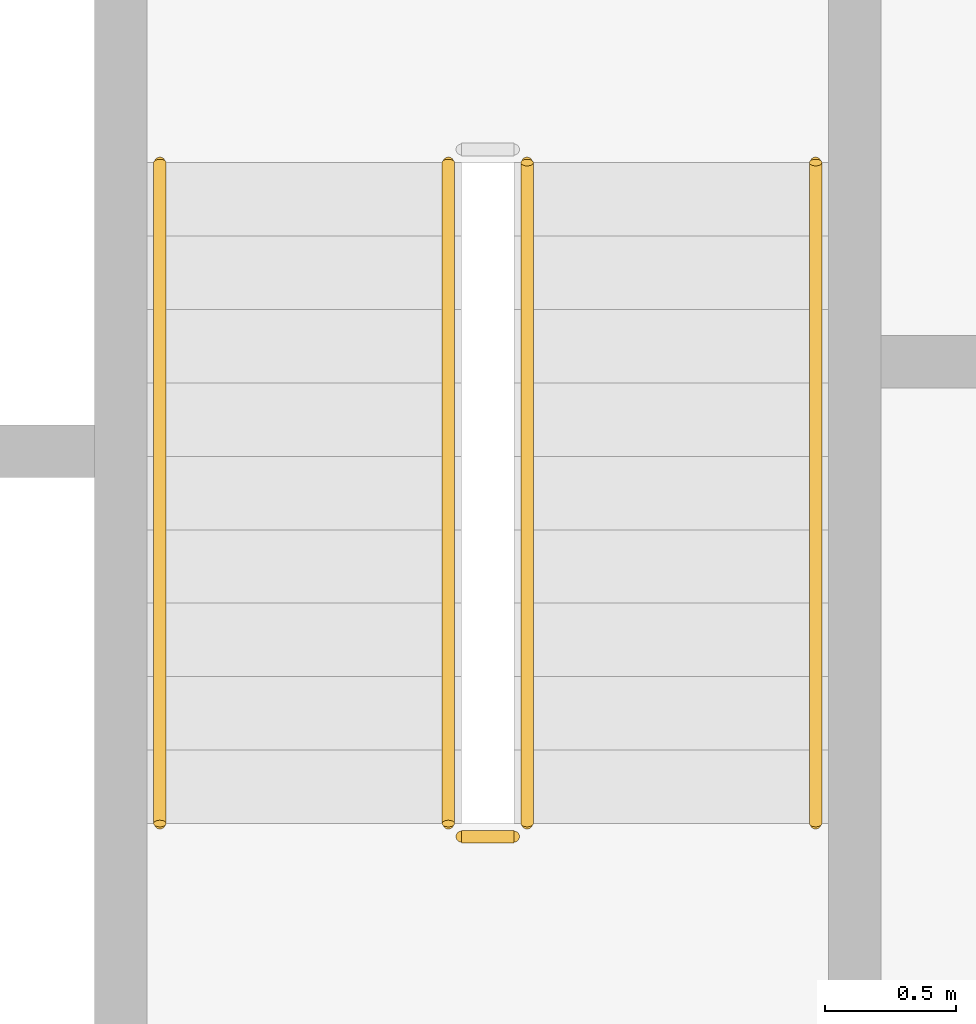
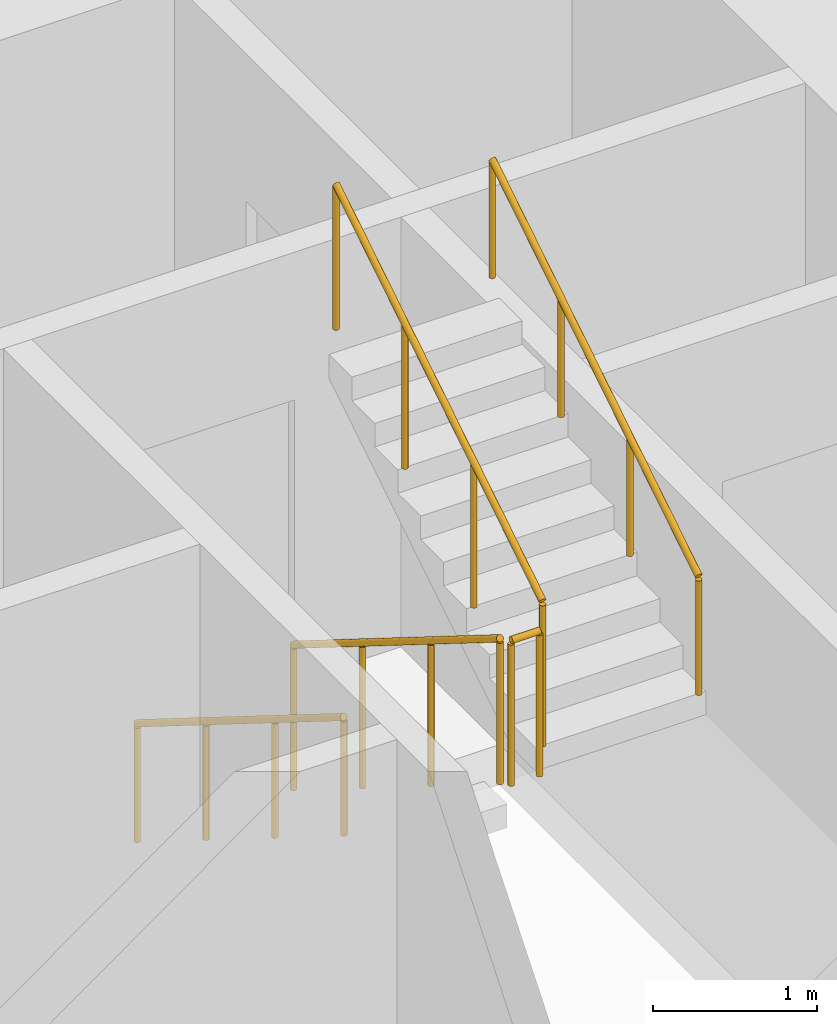
# One storey, part 19 of 22: 5 railings.
"""IFC4 building model written with IfcOpenShell, lengths in metres."""

from ifc_helpers import new_model, si_unit, direction, frame, origin, origin_2d, place, context, subcontext, project, spatial, circle, extrude, material, type_object, element, save


model = new_model("IFC4")

# Units and contexts
model_context = context("Model", 3, precision=1e-05, world=origin(), true_north=direction((0.0, 1.0)))
body_context = subcontext(model_context, "Body", "Model", "MODEL_VIEW")
ifc_project = project(units=[si_unit("LENGTHUNIT", "METRE"), si_unit("AREAUNIT", "SQUARE_METRE"), si_unit("VOLUMEUNIT", "CUBIC_METRE"), si_unit("PLANEANGLEUNIT", "RADIAN"), si_unit("MASSUNIT", "GRAM", prefix="KILO")], contexts=[model_context])

# Site, building, storey
site_placement = place(None, origin())
site = spatial("IfcSite", under=ifc_project, at=site_placement, CompositionType="ELEMENT")
building_placement = place(site_placement, origin())
building = spatial("IfcBuilding", under=site, at=building_placement, Name="Kiln Ring Residences", CompositionType="ELEMENT")
storey_placement = place(building_placement, frame((0.0, 0.0, 143.10009765625)))
storey = spatial("IfcBuildingStorey", under=building, at=storey_placement, Name="L36", CompositionType="ELEMENT", Elevation=143.10009765625)

# Railings
ifc_material_1 = material(Name="Stainless steel", Category="steel")
railing_type_1 = type_object("IfcRailingType", Name="CORE-STAIR-GUARD", PredefinedType="GUARDRAIL", material=ifc_material_1)
railing_1_placement = place(storey_placement, frame((21.949951171875, 8.39990234375, 0.1748046875)))
element("IfcRailing", 1, at=railing_1_placement, inside=storey, type_object=railing_type_1, Name="L36 E-STN stair guard 1", PredefinedType="GUARDRAIL", context=body_context, shape_type="SweptSolid", body=[
    extrude(circle(Radius=0.02392578125, at=origin_2d()), frame((0.0, 0.0, 1.076171875), z_axis=(0.0, -0.847970611238, 0.530043245855), x_axis=(1.0, 0.0, 0.0)), (0.0, 0.0, 1.0), 2.971923828125),
    extrude(circle(Radius=0.02099609375, at=origin_2d()), origin(), (0.0, 0.0, 1.0), 1.052001953125),
    extrude(circle(Radius=0.02099609375, at=origin_2d()), frame((0.0, -0.840087890625, 0.525146484375)), (0.0, 0.0, 1.0), 1.052001953125),
    extrude(circle(Radius=0.02099609375, at=origin_2d()), frame((0.0, -1.679931640625, 1.050048828125)), (0.0, 0.0, 1.0), 1.052001953125),
    extrude(circle(Radius=0.02099609375, at=origin_2d()), frame((0.0, -2.52001953125, 1.5751953125)), (0.0, 0.0, 1.0), 1.052001953125),
])
railing_2_placement = place(storey_placement, frame((22.0, 5.830078125, 1.75)))
element("IfcRailing", 2, at=railing_2_placement, inside=storey, type_object=railing_type_1, Name="L36 E-STN stair guard 2", PredefinedType="GUARDRAIL", context=body_context, shape_type="SweptSolid", body=[
    extrude(circle(Radius=0.02392578125, at=origin_2d()), frame((0.0, 0.0, 1.076171875), z_axis=(1.0, 0.0, 0.0), x_axis=(0.0, 1.0, 0.0)), (0.0, 0.0, 1.0), 0.199951171875),
    extrude(circle(Radius=0.02099609375, at=origin_2d()), origin(), (0.0, 0.0, 1.0), 1.052001953125),
    extrude(circle(Radius=0.02099609375, at=origin_2d()), frame((0.199951171875, 0.0, 0.0)), (0.0, 0.0, 1.0), 1.052001953125),
])
railing_3_placement = place(storey_placement, frame((22.25, 5.8798828125, 1.9248046875)))
element("IfcRailing", 3, at=railing_3_placement, inside=storey, type_object=railing_type_1, Name="L36 E-STN stair guard 3", PredefinedType="GUARDRAIL", context=body_context, shape_type="SweptSolid", body=[
    extrude(circle(Radius=0.02392578125, at=origin_2d()), frame((0.0, 0.0, 1.076171875), z_axis=(0.0, 0.847970611238, 0.530043245855), x_axis=(-1.0, 0.0, 0.0)), (0.0, 0.0, 1.0), 2.971923828125),
    extrude(circle(Radius=0.02099609375, at=origin_2d()), origin(), (0.0, 0.0, 1.0), 1.052001953125),
    extrude(circle(Radius=0.02099609375, at=origin_2d()), frame((0.0, 0.840087890625, 0.525146484375)), (0.0, 0.0, 1.0), 1.052001953125),
    extrude(circle(Radius=0.02099609375, at=origin_2d()), frame((0.0, 1.679931640625, 1.050048828125)), (0.0, 0.0, 1.0), 1.052001953125),
    extrude(circle(Radius=0.02099609375, at=origin_2d()), frame((0.0, 2.52001953125, 1.5751953125)), (0.0, 0.0, 1.0), 1.052001953125),
])
ifc_material_2 = material(Name="Stainless steel", Category="steel")
railing_type_2 = type_object("IfcRailingType", Name="CORE-STAIR-HANDRAIL", PredefinedType="HANDRAIL", material=ifc_material_2)
railing_4_placement = place(storey_placement, frame((20.85009765625, 8.39990234375, 0.1748046875)))
element("IfcRailing", 4, at=railing_4_placement, inside=storey, type_object=railing_type_2, Name="L36 E-STN stair handrail 1", PredefinedType="HANDRAIL", context=body_context, shape_type="SweptSolid", body=[
    extrude(circle(Radius=0.02392578125, at=origin_2d()), frame((0.0, 0.0, 0.8759765625), z_axis=(0.0, -0.847970611238, 0.530043245855), x_axis=(1.0, 0.0, 0.0)), (0.0, 0.0, 1.0), 2.971923828125),
    extrude(circle(Radius=0.02099609375, at=origin_2d()), origin(), (0.0, 0.0, 1.0), 0.851806640625),
    extrude(circle(Radius=0.02099609375, at=origin_2d()), frame((0.0, -0.840087890625, 0.525146484375)), (0.0, 0.0, 1.0), 0.851806640625),
    extrude(circle(Radius=0.02099609375, at=origin_2d()), frame((0.0, -1.679931640625, 1.050048828125)), (0.0, 0.0, 1.0), 0.851806640625),
    extrude(circle(Radius=0.02099609375, at=origin_2d()), frame((0.0, -2.52001953125, 1.5751953125)), (0.0, 0.0, 1.0), 0.851806640625),
])
railing_5_placement = place(storey_placement, frame((23.35009765625, 5.8798828125, 1.9248046875)))
element("IfcRailing", 5, at=railing_5_placement, inside=storey, type_object=railing_type_2, Name="L36 E-STN stair handrail 2", PredefinedType="HANDRAIL", context=body_context, shape_type="SweptSolid", body=[
    extrude(circle(Radius=0.02392578125, at=origin_2d()), frame((0.0, 0.0, 0.8759765625), z_axis=(0.0, 0.847970611238, 0.530043245855), x_axis=(-1.0, 0.0, 0.0)), (0.0, 0.0, 1.0), 2.971923828125),
    extrude(circle(Radius=0.02099609375, at=origin_2d()), origin(), (0.0, 0.0, 1.0), 0.851806640625),
    extrude(circle(Radius=0.02099609375, at=origin_2d()), frame((0.0, 0.840087890625, 0.525146484375)), (0.0, 0.0, 1.0), 0.851806640625),
    extrude(circle(Radius=0.02099609375, at=origin_2d()), frame((0.0, 1.679931640625, 1.050048828125)), (0.0, 0.0, 1.0), 0.851806640625),
    extrude(circle(Radius=0.02099609375, at=origin_2d()), frame((0.0, 2.52001953125, 1.5751953125)), (0.0, 0.0, 1.0), 0.851806640625),
])

save(model, "model.ifc")
